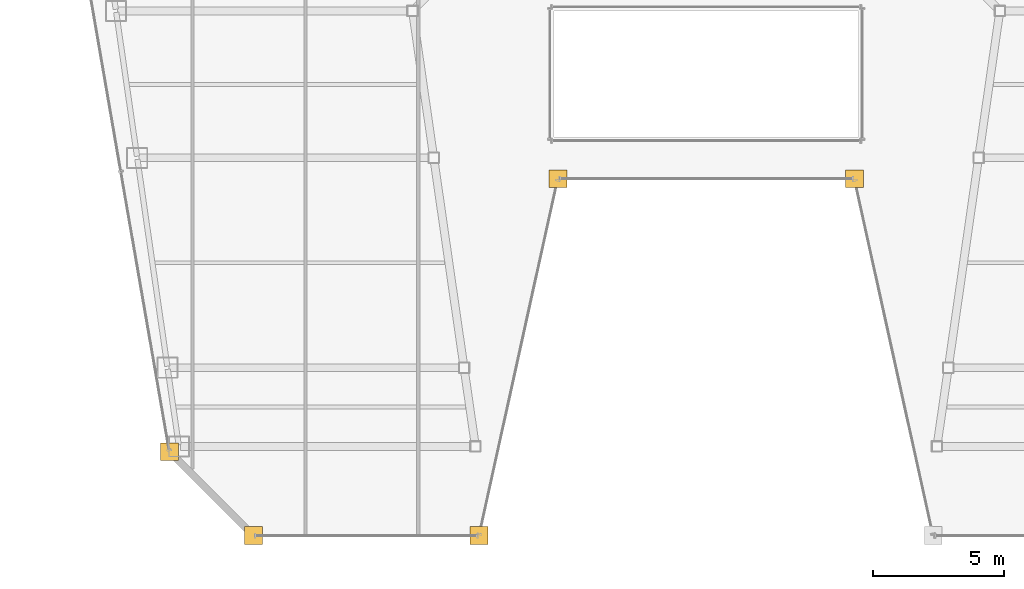
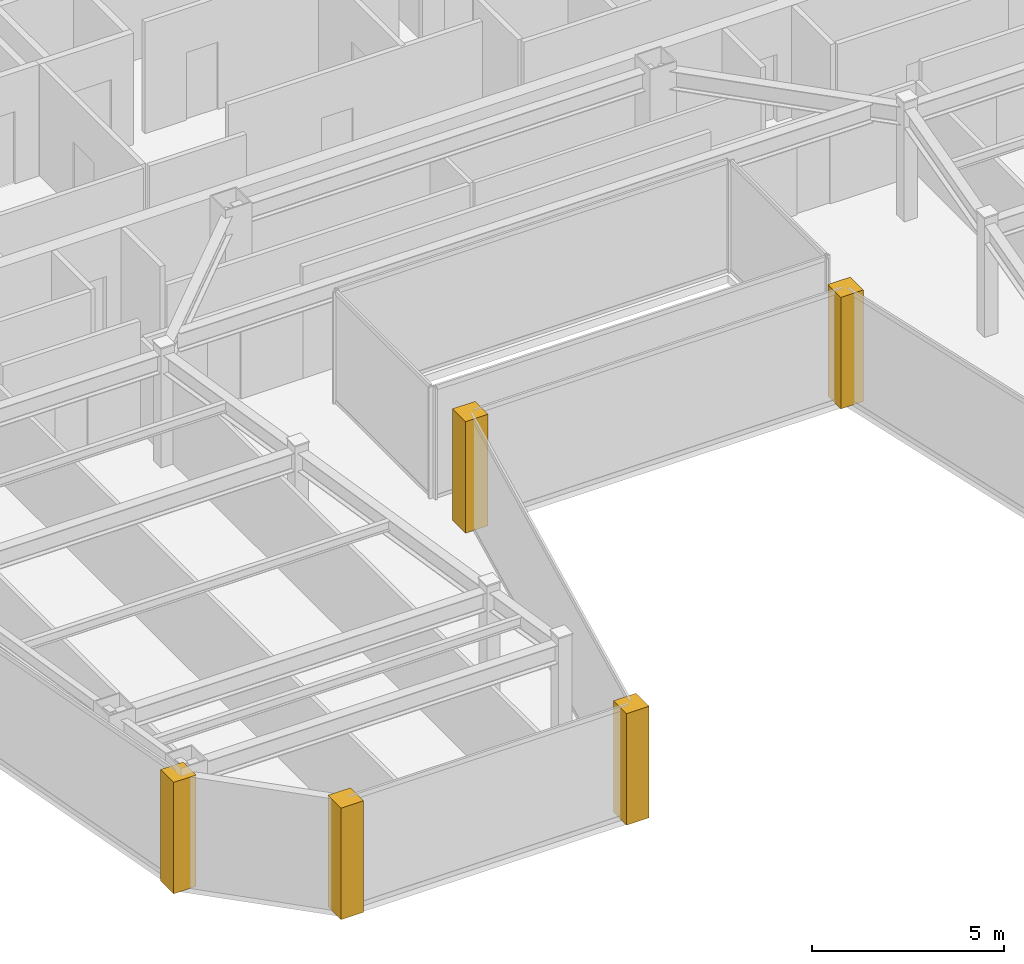
# One storey, part 30 of 33: 5 coverings.
"""IFC4 building model written with IfcOpenShell, lengths in metres."""

import ifcopenshell
import ifcopenshell.guid

model = None  # the IFC model being written
_history = None  # IfcOwnerHistory: only IFC2X3 demands one
_inside = {}  # id of a spatial element -> (the spatial element, [elements in it])
_under = {}  # id of a project, library or spatial element -> (it, [spatial elements below it])
_declared = {}  # id of a project -> (the project, [libraries it declares])
_typed = {}  # id of a type object -> (the type object, [elements of that type])
_made_of = {}  # id of a material, layer set ... -> (it, [elements and type objects made of it])


def new_model(schema):
    """Start an empty IFC model of exactly this schema.

    Asked for "IFC4X3", IfcOpenShell would pick the latest addendum, in which some entities
    have other attributes; the version numbers below select the first issue.
    IFC2X3 requires an IfcOwnerHistory on every rooted entity: one is made here for all.
    """
    global model, _history
    if schema == "IFC4X3":
        model = ifcopenshell.file(schema_version=(4, 3, 0, 0))
    else:
        model = ifcopenshell.file(schema=schema)
    _inside.clear()
    _under.clear()
    _declared.clear()
    _typed.clear()
    _made_of.clear()
    _history = None
    if model.schema == "IFC2X3":
        org = make("IfcOrganization", Name="unknown")
        user = make(
            "IfcPersonAndOrganization",
            ThePerson=make("IfcPerson", FamilyName="unknown"),
            TheOrganization=org,
        )
        app = make(
            "IfcApplication",
            ApplicationDeveloper=org,
            Version="unknown",
            ApplicationFullName="unknown",
            ApplicationIdentifier="unknown",
        )
        _history = make(
            "IfcOwnerHistory",
            OwningUser=user,
            OwningApplication=app,
            ChangeAction="ADDED",
            CreationDate=0,
        )
    return model


def make(cls, **values):
    """One entity of the class cls with the attributes given. An attribute that is None is left unset."""
    return model.create_entity(
        cls, **{name: value for name, value in values.items() if value is not None}
    )


def rooted(cls, **values):
    """An entity with a GlobalId (a new one), such as an element, a storey or a relation."""
    return make(cls, GlobalId=ifcopenshell.guid.new(), OwnerHistory=_history, **values)


def si_unit(unit_type, name, prefix=None):
    """IfcSIUnit, for example si_unit("LENGTHUNIT", "METRE", prefix="MILLI")."""
    return make("IfcSIUnit", UnitType=unit_type, Prefix=prefix, Name=name)


def assignment(units):
    """IfcUnitAssignment: the units of a project."""
    return None if units is None else make("IfcUnitAssignment", Units=units)


def point(xyz):
    """IfcCartesianPoint."""
    return None if xyz is None else make("IfcCartesianPoint", Coordinates=xyz)


def direction(xyz):
    """IfcDirection."""
    return None if xyz is None else make("IfcDirection", DirectionRatios=xyz)


def frame(location, z_axis=None, x_axis=None):
    """IfcAxis2Placement3D, a coordinate frame: its origin and axes. An axis left out is left unset."""
    return make(
        "IfcAxis2Placement3D",
        Location=point(location),
        Axis=direction(z_axis),
        RefDirection=direction(x_axis),
    )


def origin():
    """The frame at (0, 0, 0) with its axes left unset."""
    return frame((0.0, 0.0, 0.0))


def place(relative_to, where):
    """IfcLocalPlacement: puts the frame where relative to a parent placement (None: the world)."""
    return make(
        "IfcLocalPlacement", PlacementRelTo=relative_to, RelativePlacement=where
    )


def context(
    kind, dimensions, precision=None, world=None, true_north=None, identifier=None
):
    """IfcGeometricRepresentationContext, for example the 3D "Model" context."""
    return make(
        "IfcGeometricRepresentationContext",
        ContextIdentifier=identifier,
        ContextType=kind,
        CoordinateSpaceDimension=dimensions,
        Precision=precision,
        WorldCoordinateSystem=world,
        TrueNorth=true_north,
    )


def subcontext(parent, identifier, kind, view, scale=None):
    """IfcGeometricRepresentationSubContext, for example "Body" below "Model"."""
    return make(
        "IfcGeometricRepresentationSubContext",
        ContextIdentifier=identifier,
        ContextType=kind,
        ParentContext=parent,
        TargetScale=scale,
        TargetView=view,
    )


def project(units=None, contexts=None):
    """IfcProject with its units and contexts."""
    return rooted(
        "IfcProject",
        Name="project",
        RepresentationContexts=contexts,
        UnitsInContext=assignment(units),
    )


def spatial(cls, under=None, at=None, **own):
    """A site, building, storey or space (cls), placed at a placement, below another one or the project."""
    s = rooted(cls, ObjectPlacement=at, **own)
    if under is not None:
        _under.setdefault(under.id(), (under, []))[1].append(s)
    return s


def polyline(points):
    """IfcPolyline through the points."""
    return make("IfcPolyline", Points=[point(p) for p in points])


def outline(outer, holes=None, kind="AREA"):
    """IfcArbitraryClosedProfileDef: a profile drawn as a closed curve; with holes, ...WithVoids."""
    if holes is None:
        return make("IfcArbitraryClosedProfileDef", ProfileType=kind, OuterCurve=outer)
    return make(
        "IfcArbitraryProfileDefWithVoids",
        ProfileType=kind,
        OuterCurve=outer,
        InnerCurves=holes,
    )


def extrude(swept, where, along, depth):
    """IfcExtrudedAreaSolid: the profile swept, set in the frame where, extruded along a direction by depth."""
    return make(
        "IfcExtrudedAreaSolid",
        SweptArea=swept,
        Position=where,
        ExtrudedDirection=direction(along),
        Depth=depth,
    )


def shape(context_of_items, identifier, shape_type, items):
    """IfcShapeRepresentation: the items that make up one representation, for example the "Body"."""
    return make(
        "IfcShapeRepresentation",
        ContextOfItems=context_of_items,
        RepresentationIdentifier=identifier,
        RepresentationType=shape_type,
        Items=items,
    )


def material(Name=None, Category=None):
    """IfcMaterial."""
    return make("IfcMaterial", Name=Name, Category=Category)


def layer(
    of_material, thickness, ventilated=None, Name=None, Category=None, Priority=None
):
    """IfcMaterialLayer: one layer of a wall or slab, of a material (None: an air gap)."""
    return make(
        "IfcMaterialLayer",
        Material=of_material,
        LayerThickness=thickness,
        IsVentilated=ventilated,
        Name=Name,
        Category=Category,
        Priority=Priority,
    )


def layer_set(layers, Name=None):
    """IfcMaterialLayerSet."""
    return make("IfcMaterialLayerSet", MaterialLayers=layers, LayerSetName=Name)


def made_of(thing, what):
    """Note that an element or type object is made of a material, layer set ...; save() writes the relation."""
    if what is not None:
        _made_of.setdefault(what.id(), (what, []))[1].append(thing)
    return thing


def type_object(cls, material=None, **own):
    """A type object (cls), such as IfcWallType, which elements share."""
    return made_of(rooted(cls, **own), material)


def element(
    cls,
    number,
    at=None,
    inside=None,
    cuts=None,
    type_object=None,
    material=None,
    context=None,
    identifier="Body",
    shape_type=None,
    held_by="IfcProductDefinitionShape",
    body=None,
    shapes=None,
    **own,
):
    """One element of the class cls, such as IfcWall. Its Tag is "e" and its number.

    at: its placement. inside: the storey or other place that contains it. cuts: it is an
    opening in that element (IfcRelVoidsElement). A single representation is given by context,
    identifier, shape_type and body (its items); several are given by shapes. held_by: the class
    of the entity that holds the representations. save() writes the other relations.
    """
    e = rooted(cls, Tag="e%d" % number, ObjectPlacement=at, **own)
    if body is not None:
        shapes = [shape(context, identifier, shape_type, body)]
    if shapes is not None:
        e.Representation = make(held_by, Representations=shapes)
    if inside is not None:
        _inside.setdefault(inside.id(), (inside, []))[1].append(e)
    if cuts is not None:
        rooted(
            "IfcRelVoidsElement", RelatingBuildingElement=cuts, RelatedOpeningElement=e
        )
    if type_object is not None:
        _typed.setdefault(type_object.id(), (type_object, []))[1].append(e)
    return made_of(e, material)


def aggregate(whole, parts):
    """IfcRelAggregates: a whole, such as a stair, and the parts it consists of."""
    return rooted("IfcRelAggregates", RelatingObject=whole, RelatedObjects=parts)


def save(model, path):
    """Write the relations noted so far, then the file.

    IfcRelAggregates (storeys below a building ...), IfcRelContainedInSpatialStructure (elements
    in a storey), IfcRelDefinesByType, IfcRelAssociatesMaterial and IfcRelDeclares: one each for
    every whole, place, type object, material and project.
    """
    for whole, parts in _under.values():
        aggregate(whole, parts)
    for where, things in _inside.values():
        rooted(
            "IfcRelContainedInSpatialStructure",
            RelatedElements=things,
            RelatingStructure=where,
        )
    for kind, things in _typed.values():
        rooted("IfcRelDefinesByType", RelatedObjects=things, RelatingType=kind)
    for what, things in _made_of.values():
        rooted("IfcRelAssociatesMaterial", RelatedObjects=things, RelatingMaterial=what)
    for by, libraries in _declared.values():
        rooted("IfcRelDeclares", RelatingContext=by, RelatedDefinitions=libraries)
    model.write(path)


model = new_model("IFC4")

# Units and contexts
model_context = context("Model", 3, precision=1e-05, world=origin(), true_north=direction((0.0, 1.0)))
body_context = subcontext(model_context, "Body", "Model", "MODEL_VIEW")
ifc_project = project(units=[si_unit("LENGTHUNIT", "METRE"), si_unit("AREAUNIT", "SQUARE_METRE"), si_unit("VOLUMEUNIT", "CUBIC_METRE"), si_unit("PLANEANGLEUNIT", "RADIAN"), si_unit("MASSUNIT", "GRAM", prefix="KILO")], contexts=[model_context])

# Site, building, storey
site_placement = place(None, origin())
site = spatial("IfcSite", under=ifc_project, at=site_placement, CompositionType="ELEMENT")
building_placement = place(site_placement, origin())
building = spatial("IfcBuilding", under=site, at=building_placement, Name="Saevonmaru Cultural Tower", CompositionType="ELEMENT")
storey_placement = place(building_placement, frame((0.0, 0.0, 234.39990234375)))
storey = spatial("IfcBuildingStorey", under=building, at=storey_placement, Name="L54", CompositionType="ELEMENT", Elevation=234.39990234375)

# Coverings
ifc_material = material(Name="Satin Bronze Anodised Aluminium", Category="aluminium")
ifc_layer = layer(ifc_material, 0.679931640625, Name="Satin Bronze Anodised Aluminium")
ifc_layer_set = layer_set([ifc_layer], Name="Satin Bronze Anodised Aluminium")
covering_type = type_object("IfcCoveringType", Name="CV-CORNER-CLAD", PredefinedType="CLADDING", material=ifc_layer_set)
covering_1_placement = place(storey_placement, origin())
element("IfcCovering", 1, at=covering_1_placement, inside=storey, type_object=covering_type, Name="L54 Tower Bronze Corner Cladding Pier 1", PredefinedType="CLADDING", context=body_context, shape_type="SweptSolid", body=[
    extrude(outline(polyline([(9.20703125, 20.4599609375), (9.886962890625, 20.4599609375), (9.886962890625, 21.139892578125), (9.20703125, 21.139892578125), (9.20703125, 20.4599609375)])), origin(), (0.0, 0.0, 1.0), 3.550048828125),
])
covering_2_placement = place(storey_placement, origin())
element("IfcCovering", 2, at=covering_2_placement, inside=storey, type_object=covering_type, Name="L54 Tower Bronze Corner Cladding Pier 2", PredefinedType="CLADDING", context=body_context, shape_type="SweptSolid", body=[
    extrude(outline(polyline([(12.406982421875, 17.260009765625), (13.0869140625, 17.260009765625), (13.0869140625, 17.93994140625), (12.406982421875, 17.93994140625), (12.406982421875, 17.260009765625)])), origin(), (0.0, 0.0, 1.0), 3.550048828125),
])
covering_3_placement = place(storey_placement, origin())
element("IfcCovering", 3, at=covering_3_placement, inside=storey, type_object=covering_type, Name="L54 Tower Bronze Corner Cladding Pier 3", PredefinedType="CLADDING", context=body_context, shape_type="SweptSolid", body=[
    extrude(outline(polyline([(21.007080078125, 17.260009765625), (21.68701171875, 17.260009765625), (21.68701171875, 17.93994140625), (21.007080078125, 17.93994140625), (21.007080078125, 17.260009765625)])), origin(), (0.0, 0.0, 1.0), 3.550048828125),
])
covering_4_placement = place(storey_placement, origin())
element("IfcCovering", 4, at=covering_4_placement, inside=storey, type_object=covering_type, Name="L54 Tower Bronze Corner Cladding Pier 4", PredefinedType="CLADDING", context=body_context, shape_type="SweptSolid", body=[
    extrude(outline(polyline([(24.007080078125, 30.860107421875), (24.68701171875, 30.860107421875), (24.68701171875, 31.5400390625), (24.007080078125, 31.5400390625), (24.007080078125, 30.860107421875)])), origin(), (0.0, 0.0, 1.0), 3.550048828125),
])
covering_5_placement = place(storey_placement, origin())
element("IfcCovering", 5, at=covering_5_placement, inside=storey, type_object=covering_type, Name="L54 Tower Bronze Corner Cladding Pier 5", PredefinedType="CLADDING", context=body_context, shape_type="SweptSolid", body=[
    extrude(outline(polyline([(35.31298828125, 30.860107421875), (35.992919921875, 30.860107421875), (35.992919921875, 31.5400390625), (35.31298828125, 31.5400390625), (35.31298828125, 30.860107421875)])), origin(), (0.0, 0.0, 1.0), 3.550048828125),
])

save(model, "model.ifc")
